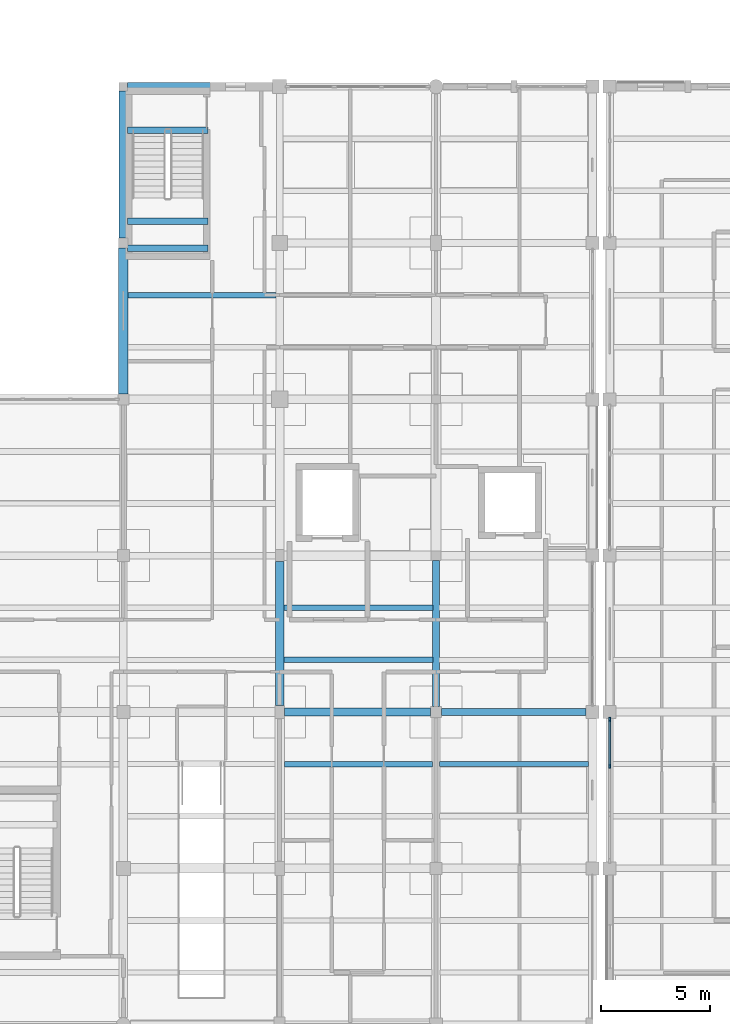
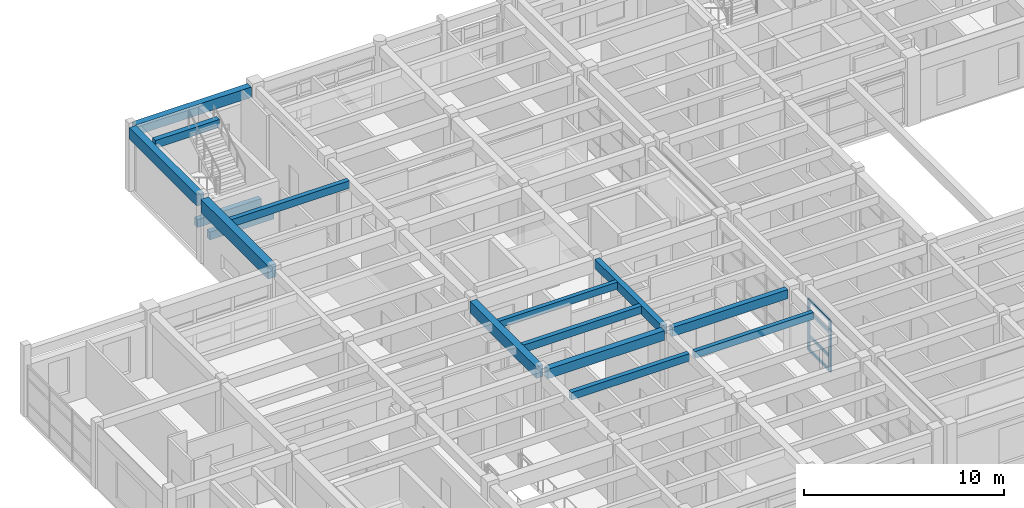
# One storey, part 30 of 110: 15 beams, 6 members, 1 element without a shape of its own.
"""IFC4 building model written with IfcOpenShell, lengths in metres."""

from ifc_helpers import new_model, si_unit, direction, frame, origin, origin_2d, place, context, subcontext, project, spatial, rectangle, extrude, material, material_profile, profile_set, type_object, element, aggregate, save


model = new_model("IFC4")

# Units and contexts
model_context = context("Model", 3, precision=1e-05, world=origin(), true_north=direction((0.0, 1.0)))
body_context = subcontext(model_context, "Body", "Model", "MODEL_VIEW")
ifc_project = project(units=[si_unit("LENGTHUNIT", "METRE"), si_unit("AREAUNIT", "SQUARE_METRE"), si_unit("VOLUMEUNIT", "CUBIC_METRE"), si_unit("PLANEANGLEUNIT", "RADIAN"), si_unit("MASSUNIT", "GRAM", prefix="KILO")], contexts=[model_context])

# Site, building, storey
site_placement = place(None, origin())
site = spatial("IfcSite", under=ifc_project, at=site_placement, CompositionType="ELEMENT")
building_placement = place(site_placement, origin())
building = spatial("IfcBuilding", under=site, at=building_placement, Name="Steenspoor Specialist Clinic", CompositionType="ELEMENT")
storey_placement = place(building_placement, frame((0.0, 0.0, 4.800048828125)))
storey = spatial("IfcBuildingStorey", under=building, at=storey_placement, Name="L01", CompositionType="ELEMENT", Elevation=4.800048828125)

# Beams
ifc_material_1 = material(Name="Concrete C35/45", Category="concrete")
ifc_material_profile_1 = material_profile(ifc_material_1, rectangle(XDim=0.300048828125, YDim=0.47998046875, at=origin_2d()), Name="RC-BM-300X480")
ifc_profile_set_1 = profile_set([ifc_material_profile_1], Name="Concrete C35/45")
beam_type_1 = type_object("IfcBeamType", Name="BM-RC-300X480", PredefinedType="BEAM", material=ifc_profile_set_1)
for number, where, z_axis, x_axis, name in (
    (1, (30.199951171875, 102.14990234375, 1.659912109375), (1.0, 0.0, 0.0), (0.0, 1.0, 0.0), "Stair Mid-Landing Bearer 1 ST-V5A L01"),
    (2, (30.199951171875, 100.89990234375, 1.659912109375), (1.0, 0.0, 0.0), (0.0, 1.0, 0.0), "Stair Mid-Landing Bearer 2 ST-V5A L01"),
    (3, (30.199951171875, 106.35009765625, 3.9599609375), (1.0, 0.0, 0.0), (0.0, 1.0, 0.0), "Stair Well Trimmer Beam ST-V5A L01"),
):
    element("IfcBeam", number, at=place(storey_placement, frame(where, z_axis=z_axis, x_axis=x_axis)), inside=storey, type_object=beam_type_1, Name=name, PredefinedType="BEAM", context=body_context, shape_type="SweptSolid", body=[
        extrude(rectangle(XDim=0.300048828125, YDim=0.47998046875, at=origin_2d()), origin(), (0.0, 0.0, 1.0), 3.699951171875),
    ])
ifc_material_profile_2 = material_profile(ifc_material_1, rectangle(XDim=0.300048828125, YDim=0.550048828125, at=origin_2d()), Name="RC-BM-300X550")
ifc_profile_set_2 = profile_set([ifc_material_profile_2], Name="Concrete C35/45")
beam_type_2 = type_object("IfcBeamType", Name="BM-RC-300X550", PredefinedType="BEAM", material=ifc_profile_set_2)
beam_1_placement = place(storey_placement, frame((44.64501953125, 79.550048828125, 3.675048828125), z_axis=(1.0, 0.0, 0.0), x_axis=(0.0, 1.0, 0.0)))
element("IfcBeam", 4, at=beam_1_placement, inside=storey, type_object=beam_type_2, Name="BM-V5-L01-X1164", PredefinedType="BEAM", context=body_context, shape_type="SweptSolid", body=[
    extrude(rectangle(XDim=0.300048828125, YDim=0.550048828125, at=origin_2d()), origin(), (0.0, 0.0, 1.0), 6.659912109375),
])
beam_2_placement = place(storey_placement, frame((44.39990234375, 79.794921875, 3.675048828125), z_axis=(0.0, 1.0, 0.0), x_axis=(-1.0, 0.0, 0.0)))
element("IfcBeam", 5, at=beam_2_placement, inside=storey, type_object=beam_type_2, Name="BM-V5-L01-Y1196", PredefinedType="BEAM", context=body_context, shape_type="SweptSolid", body=[
    extrude(rectangle(XDim=0.300048828125, YDim=0.550048828125, at=origin_2d()), origin(), (0.0, 0.0, 1.0), 6.735107421875),
])
ifc_material_profile_3 = material_profile(ifc_material_1, rectangle(XDim=0.35009765625, YDim=0.580078125, at=origin_2d()), Name="RC-BM-350X580")
ifc_profile_set_3 = profile_set([ifc_material_profile_3], Name="Concrete C35/45")
beam_type_3 = type_object("IfcBeamType", Name="BM-RC-350X580", PredefinedType="BEAM", material=ifc_profile_set_3)
beam_3_placement = place(storey_placement, frame((37.419921875, 79.550048828125, 3.659912109375), z_axis=(1.0, 0.0, 0.0), x_axis=(0.0, 1.0, 0.0)))
element("IfcBeam", 6, at=beam_3_placement, inside=storey, type_object=beam_type_3, Name="BM-V5-L01-X1163", PredefinedType="BEAM", context=body_context, shape_type="SweptSolid", body=[
    extrude(rectangle(XDim=0.35009765625, YDim=0.580078125, at=origin_2d()), origin(), (0.0, 0.0, 1.0), 6.735107421875),
])
ifc_material_profile_4 = material_profile(ifc_material_1, rectangle(XDim=0.39990234375, YDim=0.699951171875, at=origin_2d()), Name="RC-BM-400X700")
ifc_profile_set_4 = profile_set([ifc_material_profile_4], Name="Concrete C35/45")
beam_type_4 = type_object("IfcBeamType", Name="BM-RC-400X700", PredefinedType="BEAM", material=ifc_profile_set_4)
beam_4_placement = place(storey_placement, frame((30.0, 101.3701171875, 3.599853515625), z_axis=(0.0, 1.0, 0.0), x_axis=(-1.0, 0.0, 0.0)))
element("IfcBeam", 7, at=beam_4_placement, inside=storey, type_object=beam_type_4, Name="BM-V5-L01-Y1187", PredefinedType="BEAM", context=body_context, shape_type="SweptSolid", body=[
    extrude(rectangle(XDim=0.39990234375, YDim=0.699951171875, at=origin_2d()), origin(), (0.0, 0.0, 1.0), 6.784912109375),
])
beam_5_placement = place(storey_placement, frame((37.199951171875, 79.844970703125, 3.599853515625), z_axis=(0.0, 1.0, 0.0), x_axis=(-1.0, 0.0, 0.0)))
element("IfcBeam", 8, at=beam_5_placement, inside=storey, type_object=beam_type_4, Name="BM-V5-L01-Y1190", PredefinedType="BEAM", context=body_context, shape_type="SweptSolid", body=[
    extrude(rectangle(XDim=0.39990234375, YDim=0.699951171875, at=origin_2d()), origin(), (0.0, 0.0, 1.0), 6.635009765625),
])
ifc_material_profile_5 = material_profile(ifc_material_1, rectangle(XDim=0.449951171875, YDim=0.800048828125, at=origin_2d()), Name="RC-BM-450X800")
ifc_profile_set_5 = profile_set([ifc_material_profile_5], Name="Concrete C35/45")
beam_type_5 = type_object("IfcBeamType", Name="BM-RC-450X800", PredefinedType="BEAM", material=ifc_profile_set_5)
beam_6_placement = place(storey_placement, frame((30.0, 94.195068359375, 3.550048828125), z_axis=(0.0, 1.0, 0.0), x_axis=(-1.0, 0.0, 0.0)))
element("IfcBeam", 9, at=beam_6_placement, inside=storey, type_object=beam_type_5, Name="BM-V5-L01-Y1186", PredefinedType="BEAM", context=body_context, shape_type="SweptSolid", body=[
    extrude(rectangle(XDim=0.449951171875, YDim=0.800048828125, at=origin_2d()), origin(), (0.0, 0.0, 1.0), 6.73486328125),
])

# Curtain wall, members
ifc_material_2 = material(Name="Thermally broken aluminium and low-emissivity glass", Category="aluminium")
curtain_wall_type = type_object("IfcCurtainWallType", Name="CW-SCR-660X320", PredefinedType="USERDEFINED", material=ifc_material_2)
curtain_wall_placement = place(storey_placement, origin())
curtain_wall = element("IfcCurtainWall", 10, at=curtain_wall_placement, inside=storey, type_object=curtain_wall_type, Name="Unitised Curtain Wall CW-V4-L01-065", ObjectType="UNITISED GLAZING", PredefinedType="USERDEFINED")
ifc_material_3 = material(Name="Thermally broken aluminium 6063-T6", Category="aluminium")
ifc_material_profile_6 = material_profile(ifc_material_3, rectangle(XDim=0.090087890625, YDim=0.199951171875, at=origin_2d()), Name="CWM-90X200")
ifc_profile_set_6 = profile_set([ifc_material_profile_6], Name="Thermally broken aluminium 6063-T6")
member_type_1 = type_object("IfcMemberType", Name="CW-MULL-90X200", PredefinedType="MULLION", material=ifc_profile_set_6)
member_1_placement = place(storey_placement, frame((52.39990234375, 77.050048828125, 0.0), z_axis=(0.0, 0.0, 1.0), x_axis=(-1.0, 0.0, 0.0)))
member_1 = element("IfcMember", 11, at=member_1_placement, type_object=member_type_1, Name="CW-17 mullion 3", PredefinedType="MULLION", context=body_context, shape_type="SweptSolid", body=[
    extrude(rectangle(XDim=0.090087890625, YDim=0.199951171875, at=origin_2d()), origin(), (0.0, 0.0, 1.0), 3.1298828125),
])
member_2_placement = place(storey_placement, frame((52.39990234375, 79.205078125, 0.0), z_axis=(0.0, 0.0, 1.0), x_axis=(-1.0, 0.0, 0.0)))
member_2 = element("IfcMember", 12, at=member_2_placement, type_object=member_type_1, Name="CW-17 mullion 4", PredefinedType="MULLION", context=body_context, shape_type="SweptSolid", body=[
    extrude(rectangle(XDim=0.090087890625, YDim=0.199951171875, at=origin_2d()), origin(), (0.0, 0.0, 1.0), 3.1298828125),
])
ifc_material_profile_7 = material_profile(ifc_material_3, rectangle(XDim=0.080078125, YDim=0.159912109375, at=origin_2d()), Name="CWT-80X160")
ifc_profile_set_7 = profile_set([ifc_material_profile_7], Name="Thermally broken aluminium 6063-T6")
member_type_2 = type_object("IfcMemberType", Name="CW-TRAN-80X160", PredefinedType="USERDEFINED", material=ifc_profile_set_7)
member_3_placement = place(storey_placement, frame((52.39990234375, 77.094970703125, 0.0400390625), z_axis=(0.0, 1.0, 0.0), x_axis=(-1.0, 0.0, 0.0)))
member_3 = element("IfcMember", 13, at=member_3_placement, type_object=member_type_2, Name="CW-17 transom 3.1", ObjectType="TRANSOM", PredefinedType="USERDEFINED", context=body_context, shape_type="SweptSolid", body=[
    extrude(rectangle(XDim=0.080078125, YDim=0.159912109375, at=origin_2d()), origin(), (0.0, 0.0, 1.0), 2.06494140625),
])
member_4_placement = place(storey_placement, frame((52.39990234375, 77.094970703125, 0.89990234375), z_axis=(0.0, 1.0, 0.0), x_axis=(-1.0, 0.0, 0.0)))
member_4 = element("IfcMember", 14, at=member_4_placement, type_object=member_type_2, Name="CW-17 transom 3.2", ObjectType="TRANSOM", PredefinedType="USERDEFINED", context=body_context, shape_type="SweptSolid", body=[
    extrude(rectangle(XDim=0.080078125, YDim=0.159912109375, at=origin_2d()), origin(), (0.0, 0.0, 1.0), 2.06494140625),
])
member_5_placement = place(storey_placement, frame((52.39990234375, 77.094970703125, 2.349853515625), z_axis=(0.0, 1.0, 0.0), x_axis=(-1.0, 0.0, 0.0)))
member_5 = element("IfcMember", 15, at=member_5_placement, type_object=member_type_2, Name="CW-17 transom 3.3", ObjectType="TRANSOM", PredefinedType="USERDEFINED", context=body_context, shape_type="SweptSolid", body=[
    extrude(rectangle(XDim=0.080078125, YDim=0.159912109375, at=origin_2d()), origin(), (0.0, 0.0, 1.0), 2.06494140625),
])
member_6_placement = place(storey_placement, frame((52.39990234375, 77.094970703125, 3.08984375), z_axis=(0.0, 1.0, 0.0), x_axis=(-1.0, 0.0, 0.0)))
member_6 = element("IfcMember", 16, at=member_6_placement, type_object=member_type_2, Name="CW-17 transom 3.4", ObjectType="TRANSOM", PredefinedType="USERDEFINED", context=body_context, shape_type="SweptSolid", body=[
    extrude(rectangle(XDim=0.080078125, YDim=0.159912109375, at=origin_2d()), origin(), (0.0, 0.0, 1.0), 2.06494140625),
])
aggregate(curtain_wall, [member_1, member_2, member_3, member_4, member_5, member_6])

# Beams
ifc_material_profile_8 = material_profile(ifc_material_1, rectangle(XDim=0.239990234375, YDim=0.419921875, at=origin_2d()), Name="RC-JT-240X420")
ifc_profile_set_8 = profile_set([ifc_material_profile_8], Name="Concrete C35/45")
beam_type_6 = type_object("IfcBeamType", Name="JT-RC-240X420", PredefinedType="JOIST", material=ifc_profile_set_8)
beam_7_placement = place(storey_placement, frame((37.39501953125, 84.35009765625, 3.739990234375), z_axis=(1.0, 0.0, 0.0), x_axis=(0.0, 1.0, 0.0)))
element("IfcBeam", 17, at=beam_7_placement, inside=storey, type_object=beam_type_6, Name="JT-V5-L01-1233", PredefinedType="JOIST", context=body_context, shape_type="SweptSolid", body=[
    extrude(rectangle(XDim=0.239990234375, YDim=0.419921875, at=origin_2d()), origin(), (0.0, 0.0, 1.0), 6.85986328125),
])
beam_8_placement = place(storey_placement, frame((44.570068359375, 77.14990234375, 3.739990234375), z_axis=(1.0, 0.0, 0.0), x_axis=(0.0, 1.0, 0.0)))
element("IfcBeam", 18, at=beam_8_placement, inside=storey, type_object=beam_type_6, Name="JT-V5-L01-1242", PredefinedType="JOIST", context=body_context, shape_type="SweptSolid", body=[
    extrude(rectangle(XDim=0.239990234375, YDim=0.419921875, at=origin_2d()), origin(), (0.0, 0.0, 1.0), 6.85498046875),
])
ifc_material_profile_9 = material_profile(ifc_material_1, rectangle(XDim=0.260009765625, YDim=0.4599609375, at=origin_2d()), Name="RC-JT-260X460")
ifc_profile_set_9 = profile_set([ifc_material_profile_9], Name="Concrete C35/45")
beam_type_7 = type_object("IfcBeamType", Name="JT-RC-260X460", PredefinedType="JOIST", material=ifc_profile_set_9)
for number, where, z_axis, x_axis, name in (
    (19, (30.219970703125, 98.75, 3.719970703125), (1.0, 0.0, 0.0), (0.0, 1.0, 0.0), "JT-V5-L01-1227"),
    (20, (37.419921875, 77.14990234375, 3.719970703125), (1.0, 0.0, 0.0), (0.0, 1.0, 0.0), "JT-V5-L01-1231"),
):
    element("IfcBeam", number, at=place(storey_placement, frame(where, z_axis=z_axis, x_axis=x_axis)), inside=storey, type_object=beam_type_7, Name=name, PredefinedType="JOIST", context=body_context, shape_type="SweptSolid", body=[
        extrude(rectangle(XDim=0.260009765625, YDim=0.4599609375, at=origin_2d()), origin(), (0.0, 0.0, 1.0), 6.81005859375),
    ])
beam_9_placement = place(storey_placement, frame((37.39501953125, 81.949951171875, 3.719970703125), z_axis=(1.0, 0.0, 0.0), x_axis=(0.0, 1.0, 0.0)))
element("IfcBeam", 21, at=beam_9_placement, inside=storey, type_object=beam_type_7, Name="JT-V5-L01-1232", PredefinedType="JOIST", context=body_context, shape_type="SweptSolid", body=[
    extrude(rectangle(XDim=0.260009765625, YDim=0.4599609375, at=origin_2d()), origin(), (0.0, 0.0, 1.0), 6.85986328125),
])
ifc_material_profile_10 = material_profile(ifc_material_1, rectangle(XDim=0.360107421875, YDim=0.639892578125, at=origin_2d()), Name="RC-SP-360X640")
ifc_profile_set_10 = profile_set([ifc_material_profile_10], Name="Concrete C35/45")
beam_type_8 = type_object("IfcBeamType", Name="SP-RC-360X640", PredefinedType="SPANDREL", material=ifc_profile_set_10)
beam_10_placement = place(storey_placement, frame((30.195068359375, 108.35009765625, 3.6298828125), z_axis=(1.0, 0.0, 0.0), x_axis=(0.0, 1.0, 0.0)))
element("IfcBeam", 22, at=beam_10_placement, inside=storey, type_object=beam_type_8, Name="BM-V5-L01-X1175", PredefinedType="SPANDREL", context=body_context, shape_type="SweptSolid", body=[
    extrude(rectangle(XDim=0.360107421875, YDim=0.639892578125, at=origin_2d()), origin(), (0.0, 0.0, 1.0), 6.684814453125),
])

save(model, "model.ifc")
